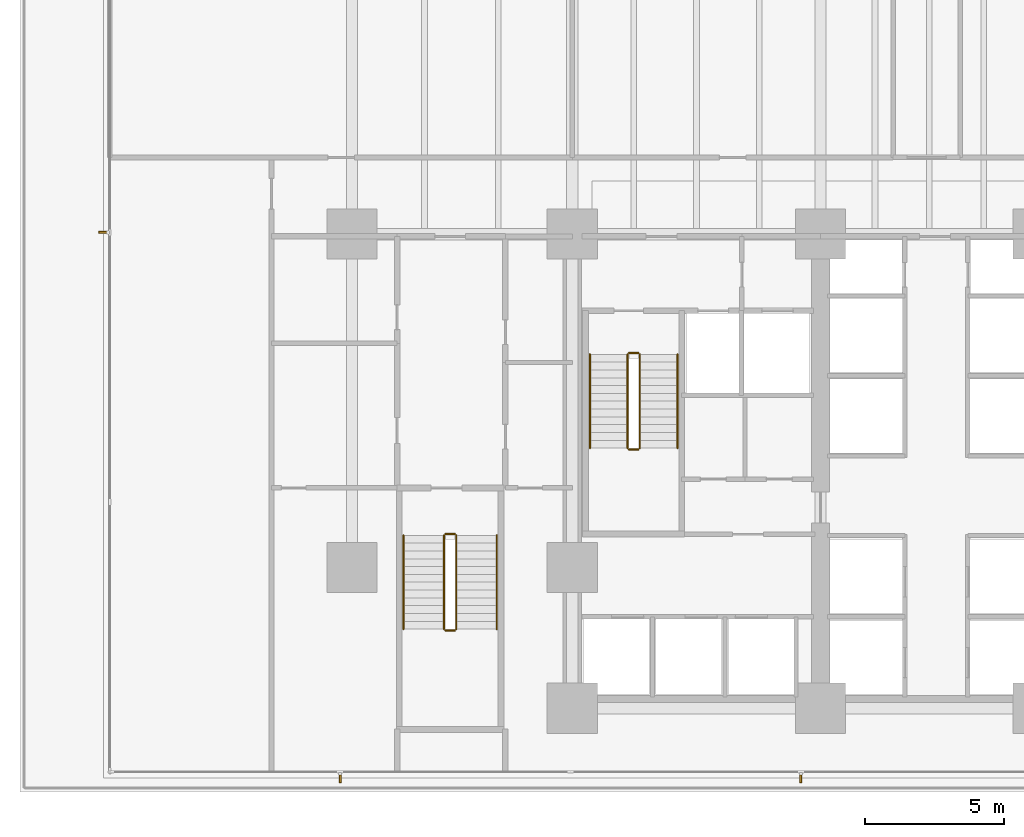
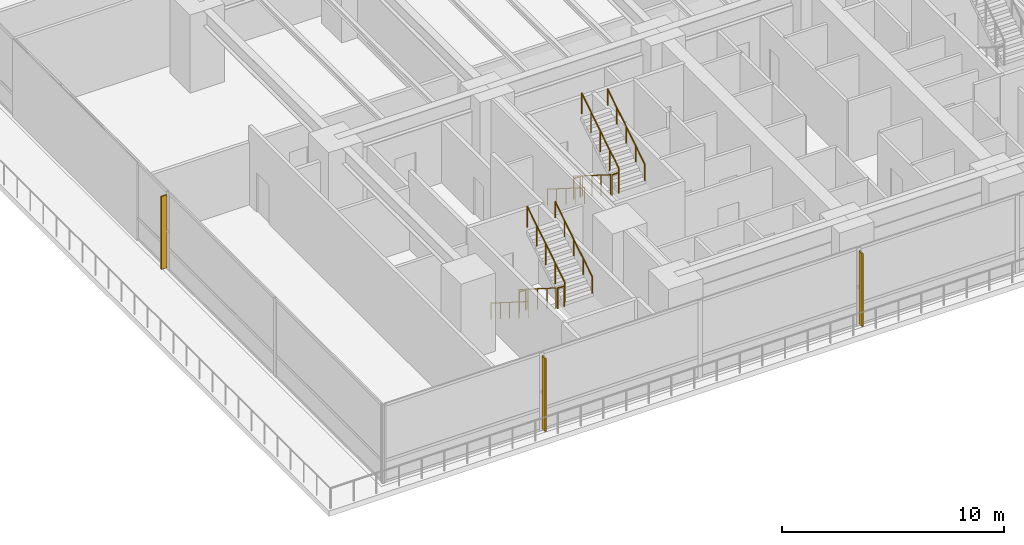
# One storey, part 18 of 24: 12 railings, 3 shading devices.
"""IFC4 building model written with IfcOpenShell, lengths in metres."""

from ifc_helpers import new_model, si_unit, direction, frame, origin, origin_2d, place, context, subcontext, project, spatial, polyline, circle, outline, extrude, material, layer, layer_set, type_object, element, save


model = new_model("IFC4")

# Units and contexts
model_context = context("Model", 3, precision=1e-05, world=origin(), true_north=direction((0.0, 1.0)))
body_context = subcontext(model_context, "Body", "Model", "MODEL_VIEW")
ifc_project = project(units=[si_unit("LENGTHUNIT", "METRE"), si_unit("AREAUNIT", "SQUARE_METRE"), si_unit("VOLUMEUNIT", "CUBIC_METRE"), si_unit("PLANEANGLEUNIT", "RADIAN"), si_unit("MASSUNIT", "GRAM", prefix="KILO")], contexts=[model_context])

# Site, building, storey
site_placement = place(None, origin())
site = spatial("IfcSite", under=ifc_project, at=site_placement, CompositionType="ELEMENT")
building_placement = place(site_placement, origin())
building = spatial("IfcBuilding", under=site, at=building_placement, Name="Qalmaran Belvedere Hotel", CompositionType="ELEMENT")
storey_placement = place(building_placement, frame((0.0, 0.0, 14.60009765625)))
storey = spatial("IfcBuildingStorey", under=building, at=storey_placement, Name="L03", CompositionType="ELEMENT", Elevation=14.60009765625)

# Shading devices
ifc_material_1 = material(Name="Anodised Bronze Aluminium", Category="aluminium")
ifc_layer = layer(ifc_material_1, 0.06494140625, Name="Anodised Bronze Aluminium")
ifc_layer_set = layer_set([ifc_layer], Name="Anodised Bronze Aluminium")
shading_device_type = type_object("IfcShadingDeviceType", Name="FIN-BRNZ-300", PredefinedType="USERDEFINED", material=ifc_layer_set)
shading_device_1_placement = place(storey_placement, frame((0.0, 0.0, 0.159912109375)))
element("IfcShadingDevice", 1, at=shading_device_1_placement, inside=storey, type_object=shading_device_type, Name="L03 Bronze Fin 1", ObjectType="FIN", PredefinedType="USERDEFINED", context=body_context, shape_type="SweptSolid", body=[
    extrude(outline(polyline([(11.945068359375, 1.12744140625), (11.945068359375, 0.827392578125), (12.010009765625, 0.827392578125), (12.010009765625, 1.12744140625), (11.945068359375, 1.12744140625)])), origin(), (0.0, 0.0, 1.0), 4.02001953125),
])
shading_device_2_placement = place(storey_placement, frame((0.0, 0.0, 0.159912109375)))
element("IfcShadingDevice", 2, at=shading_device_2_placement, inside=storey, type_object=shading_device_type, Name="L03 Bronze Fin 3", ObjectType="FIN", PredefinedType="USERDEFINED", context=body_context, shape_type="SweptSolid", body=[
    extrude(outline(polyline([(28.4599609375, 1.12744140625), (28.4599609375, 0.827392578125), (28.52490234375, 0.827392578125), (28.52490234375, 1.12744140625), (28.4599609375, 1.12744140625)])), origin(), (0.0, 0.0, 1.0), 4.02001953125),
])
shading_device_3_placement = place(storey_placement, frame((0.0, 0.0, 0.159912109375)))
element("IfcShadingDevice", 3, at=shading_device_3_placement, inside=storey, type_object=shading_device_type, Name="L03 Bronze Fin 3", ObjectType="FIN", PredefinedType="USERDEFINED", context=body_context, shape_type="SweptSolid", body=[
    extrude(outline(polyline([(3.62744140625, 20.596435546875), (3.327392578125, 20.596435546875), (3.327392578125, 20.531494140625), (3.62744140625, 20.531494140625), (3.62744140625, 20.596435546875)])), origin(), (0.0, 0.0, 1.0), 4.02001953125),
])

# Railings
ifc_material_2 = material(Name="Stainless Steel 1.4401", Category="steel")
railing_type_1 = type_object("IfcRailingType", Name="RLG-STAIR-GUARD-1150", PredefinedType="GUARDRAIL", material=ifc_material_2)
railing_1_placement = place(storey_placement, frame((22.280029296875, 16.18994140625, 0.1767578125)))
element("IfcRailing", 4, at=railing_1_placement, inside=storey, type_object=railing_type_1, Name="L03 ST-1 stair guard 1", PredefinedType="GUARDRAIL", context=body_context, shape_type="SweptSolid", body=[
    extrude(circle(Radius=0.02392578125, at=origin_2d()), frame((0.0, 0.0, 1.1259765625), z_axis=(0.0, -0.845372108799, 0.534177870812), x_axis=(1.0, 0.0, 0.0)), (0.0, 0.0, 1.0), 3.974365234375),
    extrude(circle(Radius=0.02099609375, at=origin_2d()), origin(), (0.0, 0.0, 1.0), 1.101806640625),
    extrude(circle(Radius=0.02099609375, at=origin_2d()), frame((0.0, -0.83984375, 0.53076171875)), (0.0, 0.0, 1.0), 1.101806640625),
    extrude(circle(Radius=0.02099609375, at=origin_2d()), frame((0.0, -1.679931640625, 1.0615234375)), (0.0, 0.0, 1.0), 1.101806640625),
    extrude(circle(Radius=0.02099609375, at=origin_2d()), frame((0.0, -2.52001953125, 1.59228515625)), (0.0, 0.0, 1.0), 1.101806640625),
    extrude(circle(Radius=0.02099609375, at=origin_2d()), frame((0.0, -3.35986328125, 2.123046875)), (0.0, 0.0, 1.0), 1.101806640625),
])
railing_2_placement = place(storey_placement, frame((22.330078125, 12.780029296875, 2.2998046875)))
element("IfcRailing", 5, at=railing_2_placement, inside=storey, type_object=railing_type_1, Name="L03 ST-1 stair guard 2", PredefinedType="GUARDRAIL", context=body_context, shape_type="SweptSolid", body=[
    extrude(circle(Radius=0.02392578125, at=origin_2d()), frame((0.0, 0.0, 1.1259765625), z_axis=(1.0, 0.0, 0.0), x_axis=(0.0, 1.0, 0.0)), (0.0, 0.0, 1.0), 0.33984375),
    extrude(circle(Radius=0.02099609375, at=origin_2d()), origin(), (0.0, 0.0, 1.0), 1.101806640625),
    extrude(circle(Radius=0.02099609375, at=origin_2d()), frame((0.33984375, 0.0, 0.0)), (0.0, 0.0, 1.0), 1.101806640625),
])
railing_3_placement = place(storey_placement, frame((22.719970703125, 12.830078125, 2.476806640625)))
element("IfcRailing", 6, at=railing_3_placement, inside=storey, type_object=railing_type_1, Name="L03 ST-1 stair guard 3", PredefinedType="GUARDRAIL", context=body_context, shape_type="SweptSolid", body=[
    extrude(circle(Radius=0.02392578125, at=origin_2d()), frame((0.0, 0.0, 1.1259765625), z_axis=(0.0, 0.845372108799, 0.534177870812), x_axis=(-1.0, 0.0, 0.0)), (0.0, 0.0, 1.0), 3.974365234375),
    extrude(circle(Radius=0.02099609375, at=origin_2d()), origin(), (0.0, 0.0, 1.0), 1.101806640625),
    extrude(circle(Radius=0.02099609375, at=origin_2d()), frame((0.0, 0.83984375, 0.53076171875)), (0.0, 0.0, 1.0), 1.101806640625),
    extrude(circle(Radius=0.02099609375, at=origin_2d()), frame((0.0, 1.679931640625, 1.0615234375)), (0.0, 0.0, 1.0), 1.101806640625),
    extrude(circle(Radius=0.02099609375, at=origin_2d()), frame((0.0, 2.52001953125, 1.59228515625)), (0.0, 0.0, 1.0), 1.101806640625),
    extrude(circle(Radius=0.02099609375, at=origin_2d()), frame((0.0, 3.35986328125, 2.123046875)), (0.0, 0.0, 1.0), 1.101806640625),
])
railing_4_placement = place(storey_placement, frame((22.330078125, 16.239990234375, 0.0)))
element("IfcRailing", 7, at=railing_4_placement, inside=storey, type_object=railing_type_1, Name="L03 ST-1 stair guard 4", PredefinedType="GUARDRAIL", context=body_context, shape_type="SweptSolid", body=[
    extrude(circle(Radius=0.02392578125, at=origin_2d()), frame((0.0, 0.0, 1.1259765625), z_axis=(1.0, 0.0, 0.0), x_axis=(0.0, 1.0, 0.0)), (0.0, 0.0, 1.0), 0.33984375),
    extrude(circle(Radius=0.02099609375, at=origin_2d()), origin(), (0.0, 0.0, 1.0), 1.101806640625),
    extrude(circle(Radius=0.02099609375, at=origin_2d()), frame((0.33984375, 0.0, 0.0)), (0.0, 0.0, 1.0), 1.101806640625),
])
railing_5_placement = place(storey_placement, frame((15.699951171875, 9.699951171875, 0.1767578125)))
element("IfcRailing", 8, at=railing_5_placement, inside=storey, type_object=railing_type_1, Name="L03 ST-P1 stair guard 1", PredefinedType="GUARDRAIL", context=body_context, shape_type="SweptSolid", body=[
    extrude(circle(Radius=0.02392578125, at=origin_2d()), frame((0.0, 0.0, 1.1259765625), z_axis=(0.0, -0.845372108799, 0.534177870812), x_axis=(1.0, 0.0, 0.0)), (0.0, 0.0, 1.0), 3.974365234375),
    extrude(circle(Radius=0.02099609375, at=origin_2d()), origin(), (0.0, 0.0, 1.0), 1.101806640625),
    extrude(circle(Radius=0.02099609375, at=origin_2d()), frame((0.0, -0.83984375, 0.53076171875)), (0.0, 0.0, 1.0), 1.101806640625),
    extrude(circle(Radius=0.02099609375, at=origin_2d()), frame((0.0, -1.679931640625, 1.0615234375)), (0.0, 0.0, 1.0), 1.101806640625),
    extrude(circle(Radius=0.02099609375, at=origin_2d()), frame((0.0, -2.52001953125, 1.59228515625)), (0.0, 0.0, 1.0), 1.101806640625),
    extrude(circle(Radius=0.02099609375, at=origin_2d()), frame((0.0, -3.35986328125, 2.123046875)), (0.0, 0.0, 1.0), 1.101806640625),
])
railing_6_placement = place(storey_placement, frame((15.75, 6.2900390625, 2.2998046875)))
element("IfcRailing", 9, at=railing_6_placement, inside=storey, type_object=railing_type_1, Name="L03 ST-P1 stair guard 2", PredefinedType="GUARDRAIL", context=body_context, shape_type="SweptSolid", body=[
    extrude(circle(Radius=0.02392578125, at=origin_2d()), frame((0.0, 0.0, 1.1259765625), z_axis=(1.0, 0.0, 0.0), x_axis=(0.0, 1.0, 0.0)), (0.0, 0.0, 1.0), 0.340087890625),
    extrude(circle(Radius=0.02099609375, at=origin_2d()), origin(), (0.0, 0.0, 1.0), 1.101806640625),
    extrude(circle(Radius=0.02099609375, at=origin_2d()), frame((0.340087890625, 0.0, 0.0)), (0.0, 0.0, 1.0), 1.101806640625),
])
railing_7_placement = place(storey_placement, frame((16.139892578125, 6.340087890625, 2.476806640625)))
element("IfcRailing", 10, at=railing_7_placement, inside=storey, type_object=railing_type_1, Name="L03 ST-P1 stair guard 3", PredefinedType="GUARDRAIL", context=body_context, shape_type="SweptSolid", body=[
    extrude(circle(Radius=0.02392578125, at=origin_2d()), frame((0.0, 0.0, 1.1259765625), z_axis=(0.0, 0.845372108799, 0.534177870812), x_axis=(-1.0, 0.0, 0.0)), (0.0, 0.0, 1.0), 3.974365234375),
    extrude(circle(Radius=0.02099609375, at=origin_2d()), origin(), (0.0, 0.0, 1.0), 1.101806640625),
    extrude(circle(Radius=0.02099609375, at=origin_2d()), frame((0.0, 0.83984375, 0.53076171875)), (0.0, 0.0, 1.0), 1.101806640625),
    extrude(circle(Radius=0.02099609375, at=origin_2d()), frame((0.0, 1.679931640625, 1.0615234375)), (0.0, 0.0, 1.0), 1.101806640625),
    extrude(circle(Radius=0.02099609375, at=origin_2d()), frame((0.0, 2.52001953125, 1.59228515625)), (0.0, 0.0, 1.0), 1.101806640625),
    extrude(circle(Radius=0.02099609375, at=origin_2d()), frame((0.0, 3.35986328125, 2.123046875)), (0.0, 0.0, 1.0), 1.101806640625),
])
railing_8_placement = place(storey_placement, frame((15.75, 9.75, 0.0)))
element("IfcRailing", 11, at=railing_8_placement, inside=storey, type_object=railing_type_1, Name="L03 ST-P1 stair guard 4", PredefinedType="GUARDRAIL", context=body_context, shape_type="SweptSolid", body=[
    extrude(circle(Radius=0.02392578125, at=origin_2d()), frame((0.0, 0.0, 1.1259765625), z_axis=(1.0, 0.0, 0.0), x_axis=(0.0, 1.0, 0.0)), (0.0, 0.0, 1.0), 0.340087890625),
    extrude(circle(Radius=0.02099609375, at=origin_2d()), origin(), (0.0, 0.0, 1.0), 1.101806640625),
    extrude(circle(Radius=0.02099609375, at=origin_2d()), frame((0.340087890625, 0.0, 0.0)), (0.0, 0.0, 1.0), 1.101806640625),
])
railing_type_2 = type_object("IfcRailingType", Name="RLG-STAIR-HAND-910", PredefinedType="HANDRAIL", material=ifc_material_2)
railing_9_placement = place(storey_placement, frame((20.929931640625, 16.18994140625, 0.1767578125)))
element("IfcRailing", 12, at=railing_9_placement, inside=storey, type_object=railing_type_2, Name="L03 ST-1 stair handrail 1", PredefinedType="HANDRAIL", context=body_context, shape_type="SweptSolid", body=[
    extrude(circle(Radius=0.02392578125, at=origin_2d()), frame((0.0, 0.0, 0.8857421875), z_axis=(0.0, -0.845372108799, 0.534177870812), x_axis=(1.0, 0.0, 0.0)), (0.0, 0.0, 1.0), 3.974365234375),
    extrude(circle(Radius=0.02099609375, at=origin_2d()), origin(), (0.0, 0.0, 1.0), 0.86181640625),
    extrude(circle(Radius=0.02099609375, at=origin_2d()), frame((0.0, -0.83984375, 0.53076171875)), (0.0, 0.0, 1.0), 0.86181640625),
    extrude(circle(Radius=0.02099609375, at=origin_2d()), frame((0.0, -1.679931640625, 1.0615234375)), (0.0, 0.0, 1.0), 0.86181640625),
    extrude(circle(Radius=0.02099609375, at=origin_2d()), frame((0.0, -2.52001953125, 1.59228515625)), (0.0, 0.0, 1.0), 0.86181640625),
    extrude(circle(Radius=0.02099609375, at=origin_2d()), frame((0.0, -3.35986328125, 2.123046875)), (0.0, 0.0, 1.0), 0.86181640625),
])
railing_10_placement = place(storey_placement, frame((24.070068359375, 12.830078125, 2.476806640625)))
element("IfcRailing", 13, at=railing_10_placement, inside=storey, type_object=railing_type_2, Name="L03 ST-1 stair handrail 2", PredefinedType="HANDRAIL", context=body_context, shape_type="SweptSolid", body=[
    extrude(circle(Radius=0.02392578125, at=origin_2d()), frame((0.0, 0.0, 0.8857421875), z_axis=(0.0, 0.845372108799, 0.534177870812), x_axis=(-1.0, 0.0, 0.0)), (0.0, 0.0, 1.0), 3.974365234375),
    extrude(circle(Radius=0.02099609375, at=origin_2d()), origin(), (0.0, 0.0, 1.0), 0.86181640625),
    extrude(circle(Radius=0.02099609375, at=origin_2d()), frame((0.0, 0.83984375, 0.53076171875)), (0.0, 0.0, 1.0), 0.86181640625),
    extrude(circle(Radius=0.02099609375, at=origin_2d()), frame((0.0, 1.679931640625, 1.0615234375)), (0.0, 0.0, 1.0), 0.86181640625),
    extrude(circle(Radius=0.02099609375, at=origin_2d()), frame((0.0, 2.52001953125, 1.59228515625)), (0.0, 0.0, 1.0), 0.86181640625),
    extrude(circle(Radius=0.02099609375, at=origin_2d()), frame((0.0, 3.35986328125, 2.123046875)), (0.0, 0.0, 1.0), 0.86181640625),
])
railing_11_placement = place(storey_placement, frame((14.25, 9.699951171875, 0.1767578125)))
element("IfcRailing", 14, at=railing_11_placement, inside=storey, type_object=railing_type_2, Name="L03 ST-P1 stair handrail 1", PredefinedType="HANDRAIL", context=body_context, shape_type="SweptSolid", body=[
    extrude(circle(Radius=0.02392578125, at=origin_2d()), frame((0.0, 0.0, 0.8857421875), z_axis=(0.0, -0.845372108799, 0.534177870812), x_axis=(1.0, 0.0, 0.0)), (0.0, 0.0, 1.0), 3.974365234375),
    extrude(circle(Radius=0.02099609375, at=origin_2d()), origin(), (0.0, 0.0, 1.0), 0.86181640625),
    extrude(circle(Radius=0.02099609375, at=origin_2d()), frame((0.0, -0.83984375, 0.53076171875)), (0.0, 0.0, 1.0), 0.86181640625),
    extrude(circle(Radius=0.02099609375, at=origin_2d()), frame((0.0, -1.679931640625, 1.0615234375)), (0.0, 0.0, 1.0), 0.86181640625),
    extrude(circle(Radius=0.02099609375, at=origin_2d()), frame((0.0, -2.52001953125, 1.59228515625)), (0.0, 0.0, 1.0), 0.86181640625),
    extrude(circle(Radius=0.02099609375, at=origin_2d()), frame((0.0, -3.35986328125, 2.123046875)), (0.0, 0.0, 1.0), 0.86181640625),
])
railing_12_placement = place(storey_placement, frame((17.590087890625, 6.340087890625, 2.476806640625)))
element("IfcRailing", 15, at=railing_12_placement, inside=storey, type_object=railing_type_2, Name="L03 ST-P1 stair handrail 2", PredefinedType="HANDRAIL", context=body_context, shape_type="SweptSolid", body=[
    extrude(circle(Radius=0.02392578125, at=origin_2d()), frame((0.0, 0.0, 0.8857421875), z_axis=(0.0, 0.845372108799, 0.534177870812), x_axis=(-1.0, 0.0, 0.0)), (0.0, 0.0, 1.0), 3.974365234375),
    extrude(circle(Radius=0.02099609375, at=origin_2d()), origin(), (0.0, 0.0, 1.0), 0.86181640625),
    extrude(circle(Radius=0.02099609375, at=origin_2d()), frame((0.0, 0.83984375, 0.53076171875)), (0.0, 0.0, 1.0), 0.86181640625),
    extrude(circle(Radius=0.02099609375, at=origin_2d()), frame((0.0, 1.679931640625, 1.0615234375)), (0.0, 0.0, 1.0), 0.86181640625),
    extrude(circle(Radius=0.02099609375, at=origin_2d()), frame((0.0, 2.52001953125, 1.59228515625)), (0.0, 0.0, 1.0), 0.86181640625),
    extrude(circle(Radius=0.02099609375, at=origin_2d()), frame((0.0, 3.35986328125, 2.123046875)), (0.0, 0.0, 1.0), 0.86181640625),
])

save(model, "model.ifc")
